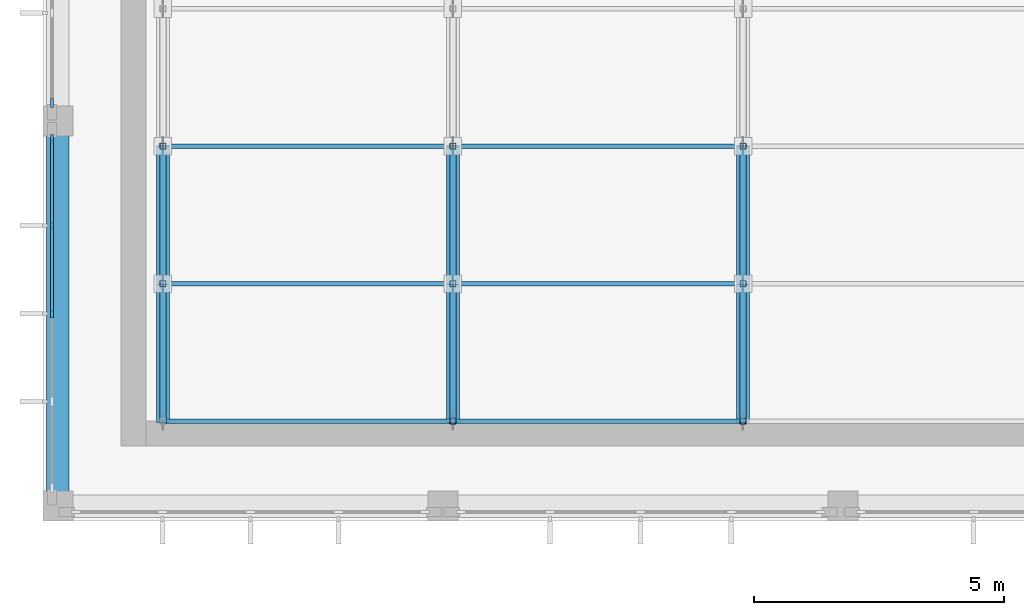
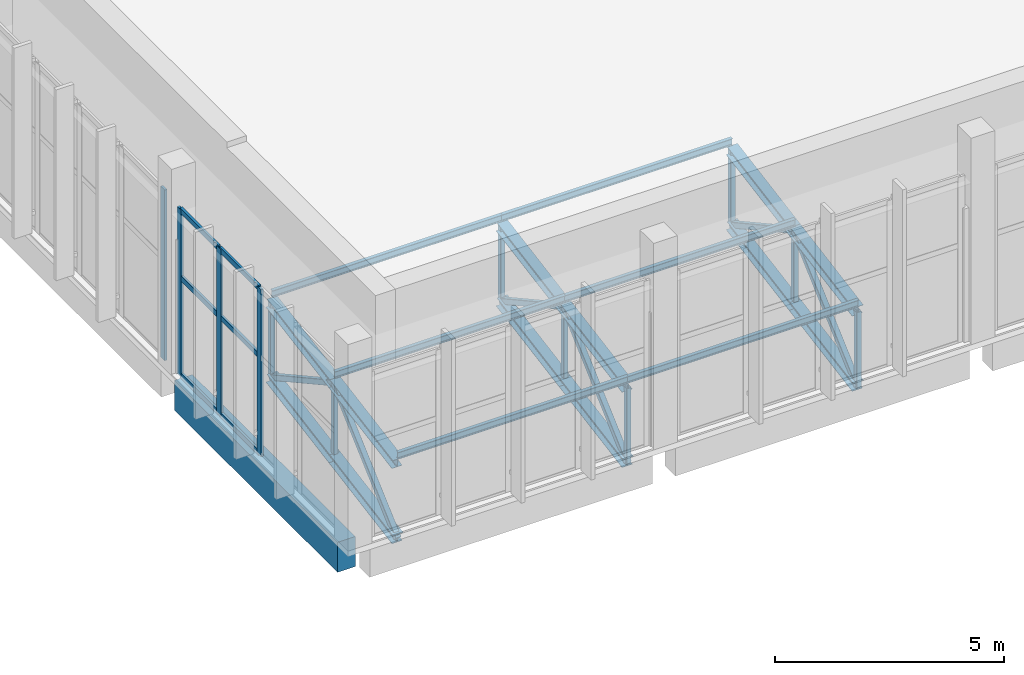
# One storey, part 5 of 132: 42 members, 1 beam, 2 elements without a shape of their own.
"""IFC4 building model written with IfcOpenShell, lengths in metres."""

from ifc_helpers import new_model, si_unit, direction, frame, origin, origin_2d, place, context, subcontext, project, spatial, rectangle, hollow_rectangle, i_section, extrude, material, layer, layer_set, material_profile, profile_set, type_object, element, aggregate, save


model = new_model("IFC4")

# Units and contexts
model_context = context("Model", 3, precision=1e-05, world=origin(), true_north=direction((0.0, 1.0)))
body_context = subcontext(model_context, "Body", "Model", "MODEL_VIEW")
ifc_project = project(units=[si_unit("LENGTHUNIT", "METRE"), si_unit("AREAUNIT", "SQUARE_METRE"), si_unit("VOLUMEUNIT", "CUBIC_METRE"), si_unit("PLANEANGLEUNIT", "RADIAN"), si_unit("MASSUNIT", "GRAM", prefix="KILO")], contexts=[model_context])

# Site, building, storey
site_placement = place(None, origin())
site = spatial("IfcSite", under=ifc_project, at=site_placement, CompositionType="ELEMENT")
building_placement = place(site_placement, origin())
building = spatial("IfcBuilding", under=site, at=building_placement, Name="Lunette Opera House", CompositionType="ELEMENT")
storey_placement = place(building_placement, frame((0.0, 0.0, 17.0)))
storey = spatial("IfcBuildingStorey", under=building, at=storey_placement, Name="L03", CompositionType="ELEMENT", Elevation=17.0)

# Members
ifc_material_1 = material(Name="Steel S355", Category="steel")
ifc_material_profile_1 = material_profile(ifc_material_1, i_section(OverallWidth=0.260009765625, OverallDepth=0.25, WebThickness=0.007568359375, FlangeThickness=0.012451171875, FilletRadius=0.02392578125, at=origin_2d()), Name="HEA 260")
ifc_profile_set_1 = profile_set([ifc_material_profile_1], Name="Steel S355")
member_type_1 = type_object("IfcMemberType", Name="CHORD HEA 260", PredefinedType="CHORD", material=ifc_profile_set_1)
for number, where, z_axis, x_axis, name in (
    (1, (10.39990234375, 66.0, 0.294921875), (0.0, 0.984794998673, 0.173720495593), (-1.0, 0.0, 0.0), "mem-RW-L03-RW-TR01-TC1"),
    (2, (10.39990234375, 66.0, -1.705078125), (0.0, 0.984794998673, 0.173720495593), (-1.0, 0.0, 0.0), "mem-RW-L03-RW-TR01-BC1"),
    (3, (10.39990234375, 68.75, 0.780029296875), (0.0, 0.984809952442, 0.173635703618), (-1.0, 0.0, 0.0), "mem-RW-L03-RW-TR01-TC2"),
    (4, (10.39990234375, 68.75, -1.219970703125), (0.0, 0.984809952442, 0.173635703618), (-1.0, 0.0, 0.0), "mem-RW-L03-RW-TR01-BC2"),
    (5, (16.199951171875, 66.0, 0.294921875), (0.0, 0.984794998673, 0.173720495593), (-1.0, 0.0, 0.0), "mem-RW-L03-RW-TR02-TC1"),
    (6, (16.199951171875, 66.0, -1.705078125), (0.0, 0.984794998673, 0.173720495593), (-1.0, 0.0, 0.0), "mem-RW-L03-RW-TR02-BC1"),
    (7, (16.199951171875, 68.75, 0.780029296875), (0.0, 0.984809952442, 0.173635703618), (-1.0, 0.0, 0.0), "mem-RW-L03-RW-TR02-TC2"),
    (8, (16.199951171875, 68.75, -1.219970703125), (0.0, 0.984809952442, 0.173635703618), (-1.0, 0.0, 0.0), "mem-RW-L03-RW-TR02-BC2"),
    (9, (22.0, 66.0, 0.294921875), (0.0, 0.984794998673, 0.173720495593), (-1.0, 0.0, 0.0), "mem-RW-L03-RW-TR03-TC1"),
    (10, (22.0, 66.0, -1.705078125), (0.0, 0.984794998673, 0.173720495593), (-1.0, 0.0, 0.0), "mem-RW-L03-RW-TR03-BC1"),
    (11, (22.0, 68.75, 0.780029296875), (0.0, 0.984809952442, 0.173635703618), (-1.0, 0.0, 0.0), "mem-RW-L03-RW-TR03-TC2"),
    (12, (22.0, 68.75, -1.219970703125), (0.0, 0.984809952442, 0.173635703618), (-1.0, 0.0, 0.0), "mem-RW-L03-RW-TR03-BC2"),
):
    element("IfcMember", number, at=place(storey_placement, frame(where, z_axis=z_axis, x_axis=x_axis)), inside=storey, type_object=member_type_1, Name=name, PredefinedType="CHORD", context=body_context, shape_type="SweptSolid", body=[
        extrude(i_section(OverallWidth=0.260009765625, OverallDepth=0.25, WebThickness=0.007568359375, FlangeThickness=0.012451171875, FilletRadius=0.02392578125, at=origin_2d()), origin(), (0.0, 0.0, 1.0), 2.79248046875),
    ])
ifc_material_2 = material(Name="Steel S355", Category="steel")
ifc_material_profile_2 = material_profile(ifc_material_2, hollow_rectangle(XDim=0.139892578125, YDim=0.139892578125, WallThickness=0.006103515625, InnerFilletRadius=0.006103515625, OuterFilletRadius=0.011962890625, at=origin_2d()), Name="RHS 140X140X6")
ifc_profile_set_2 = profile_set([ifc_material_profile_2], Name="Steel S355")
member_type_2 = type_object("IfcMemberType", Name="DIAGONAL RHS 140X140X6", PredefinedType="BRACE", material=ifc_profile_set_2)
member_1_placement = place(storey_placement, frame((10.39990234375, 66.0, -1.705078125), z_axis=(0.0, 0.741936685601, 0.670469950527), x_axis=(-1.0, 0.0, 0.0)))
element("IfcMember", 13, at=member_1_placement, inside=storey, type_object=member_type_2, Name="mem-RW-L03-RW-TR01-TD1", PredefinedType="BRACE", context=body_context, shape_type="SweptSolid", body=[
    extrude(hollow_rectangle(XDim=0.139892578125, YDim=0.139892578125, WallThickness=0.006103515625, InnerFilletRadius=0.006103515625, OuterFilletRadius=0.011962890625, at=origin_2d()), origin(), (0.0, 0.0, 1.0), 3.70654296875),
])
member_2_placement = place(storey_placement, frame((10.39990234375, 68.75, 0.780029296875), z_axis=(0.0, 0.87586106121, -0.482563365223), x_axis=(-1.0, 0.0, 0.0)))
element("IfcMember", 14, at=member_2_placement, inside=storey, type_object=member_type_2, Name="mem-RW-L03-RW-TR01-TD2", PredefinedType="BRACE", context=body_context, shape_type="SweptSolid", body=[
    extrude(hollow_rectangle(XDim=0.139892578125, YDim=0.139892578125, WallThickness=0.006103515625, InnerFilletRadius=0.006103515625, OuterFilletRadius=0.011962890625, at=origin_2d()), origin(), (0.0, 0.0, 1.0), 3.1396484375),
])
member_3_placement = place(storey_placement, frame((16.199951171875, 66.0, -1.705078125), z_axis=(0.0, 0.741936685601, 0.670469950527), x_axis=(-1.0, 0.0, 0.0)))
element("IfcMember", 15, at=member_3_placement, inside=storey, type_object=member_type_2, Name="mem-RW-L03-RW-TR02-TD1", PredefinedType="BRACE", context=body_context, shape_type="SweptSolid", body=[
    extrude(hollow_rectangle(XDim=0.139892578125, YDim=0.139892578125, WallThickness=0.006103515625, InnerFilletRadius=0.006103515625, OuterFilletRadius=0.011962890625, at=origin_2d()), origin(), (0.0, 0.0, 1.0), 3.70654296875),
])
member_4_placement = place(storey_placement, frame((16.199951171875, 68.75, 0.780029296875), z_axis=(0.0, 0.87586106121, -0.482563365223), x_axis=(-1.0, 0.0, 0.0)))
element("IfcMember", 16, at=member_4_placement, inside=storey, type_object=member_type_2, Name="mem-RW-L03-RW-TR02-TD2", PredefinedType="BRACE", context=body_context, shape_type="SweptSolid", body=[
    extrude(hollow_rectangle(XDim=0.139892578125, YDim=0.139892578125, WallThickness=0.006103515625, InnerFilletRadius=0.006103515625, OuterFilletRadius=0.011962890625, at=origin_2d()), origin(), (0.0, 0.0, 1.0), 3.1396484375),
])
member_5_placement = place(storey_placement, frame((22.0, 66.0, -1.705078125), z_axis=(0.0, 0.741936685601, 0.670469950527), x_axis=(-1.0, 0.0, 0.0)))
element("IfcMember", 17, at=member_5_placement, inside=storey, type_object=member_type_2, Name="mem-RW-L03-RW-TR03-TD1", PredefinedType="BRACE", context=body_context, shape_type="SweptSolid", body=[
    extrude(hollow_rectangle(XDim=0.139892578125, YDim=0.139892578125, WallThickness=0.006103515625, InnerFilletRadius=0.006103515625, OuterFilletRadius=0.011962890625, at=origin_2d()), origin(), (0.0, 0.0, 1.0), 3.70654296875),
])
member_6_placement = place(storey_placement, frame((22.0, 68.75, 0.780029296875), z_axis=(0.0, 0.87586106121, -0.482563365223), x_axis=(-1.0, 0.0, 0.0)))
element("IfcMember", 18, at=member_6_placement, inside=storey, type_object=member_type_2, Name="mem-RW-L03-RW-TR03-TD2", PredefinedType="BRACE", context=body_context, shape_type="SweptSolid", body=[
    extrude(hollow_rectangle(XDim=0.139892578125, YDim=0.139892578125, WallThickness=0.006103515625, InnerFilletRadius=0.006103515625, OuterFilletRadius=0.011962890625, at=origin_2d()), origin(), (0.0, 0.0, 1.0), 3.1396484375),
])

# Curtain wall, member
ifc_material_3 = material(Name="Aluminium", Category="aluminium")
ifc_layer = layer(ifc_material_3, 0.179931640625)
ifc_layer_set = layer_set([ifc_layer], Name="Aluminium")
curtain_wall_type = type_object("IfcCurtainWallType", Name="SUN FACE CURTAIN WALL", PredefinedType="NOTDEFINED", material=ifc_layer_set)
curtain_wall_1_placement = place(storey_placement, origin())
curtain_wall_1 = element("IfcCurtainWall", 19, at=curtain_wall_1_placement, inside=storey, type_object=curtain_wall_type, Name="Sun Face Curtain Wall F17 L03", PredefinedType="NOTDEFINED")
ifc_material_4 = material(Name="Aluminium", Category="aluminium")
ifc_material_profile_3 = material_profile(ifc_material_4, rectangle(XDim=0.06005859375, YDim=0.179931640625, at=origin_2d()), Name="MULLION 60 X 180")
ifc_profile_set_3 = profile_set([ifc_material_profile_3], Name="Aluminium")
member_type_3 = type_object("IfcMemberType", Name="MULLION 60 X 180", PredefinedType="MULLION", material=ifc_profile_set_3)
member_7_placement = place(storey_placement, frame((8.181884765625, 72.360107421875, 0.0), z_axis=(0.0, 0.0, 1.0), x_axis=(1.0, 0.0, 0.0)))
member_7 = element("IfcMember", 20, at=member_7_placement, type_object=member_type_3, Name="RW-X2047 mullion 5", PredefinedType="MULLION", context=body_context, shape_type="SweptSolid", body=[
    extrude(rectangle(XDim=0.06005859375, YDim=0.179931640625, at=origin_2d()), origin(), (0.0, 0.0, 1.0), 4.550048828125),
])
aggregate(curtain_wall_1, [member_7])

# Curtain wall, members
curtain_wall_2_placement = place(storey_placement, origin())
curtain_wall_2 = element("IfcCurtainWall", 21, at=curtain_wall_2_placement, inside=storey, type_object=curtain_wall_type, Name="Sun Face Curtain Wall F18 L03", PredefinedType="NOTDEFINED")
member_8_placement = place(storey_placement, frame((8.181884765625, 71.639892578125, 0.0), z_axis=(0.0, 0.0, 1.0), x_axis=(1.0, 0.0, 0.0)))
member_8 = element("IfcMember", 22, at=member_8_placement, type_object=member_type_3, Name="RW-X2048 mullion 1", PredefinedType="MULLION", context=body_context, shape_type="SweptSolid", body=[
    extrude(rectangle(XDim=0.06005859375, YDim=0.179931640625, at=origin_2d()), origin(), (0.0, 0.0, 1.0), 4.449951171875),
])
member_9_placement = place(storey_placement, frame((8.181884765625, 69.909912109375, 0.0), z_axis=(0.0, 0.0, 1.0), x_axis=(1.0, 0.0, 0.0)))
member_9 = element("IfcMember", 23, at=member_9_placement, type_object=member_type_3, Name="RW-X2048 mullion 2", PredefinedType="MULLION", context=body_context, shape_type="SweptSolid", body=[
    extrude(rectangle(XDim=0.06005859375, YDim=0.179931640625, at=origin_2d()), origin(), (0.0, 0.0, 1.0), 4.449951171875),
])
member_10_placement = place(storey_placement, frame((8.181884765625, 68.14990234375, 0.0), z_axis=(0.0, 0.0, 1.0), x_axis=(1.0, 0.0, 0.0)))
member_10 = element("IfcMember", 24, at=member_10_placement, type_object=member_type_3, Name="RW-X2048 mullion 3", PredefinedType="MULLION", context=body_context, shape_type="SweptSolid", body=[
    extrude(rectangle(XDim=0.06005859375, YDim=0.179931640625, at=origin_2d()), origin(), (0.0, 0.0, 1.0), 4.449951171875),
])

# Members
ifc_material_5 = material(Name="Steel S355", Category="steel")
ifc_material_profile_4 = material_profile(ifc_material_5, i_section(OverallWidth=0.091064453125, OverallDepth=0.179931640625, WebThickness=0.00537109375, FlangeThickness=0.008056640625, FilletRadius=0.009033203125, at=origin_2d()), Name="IPE 180")
ifc_profile_set_4 = profile_set([ifc_material_profile_4], Name="Steel S355")
member_type_4 = type_object("IfcMemberType", Name="PURLIN IPE 180", PredefinedType="PURLIN", material=ifc_profile_set_4)
for number, where, z_axis, x_axis, name in (
    (25, (10.39990234375, 66.0, 0.510009765625), (1.0, 0.0, 0.0), (0.0, 1.0, 0.0), "mem-RW-L03-RW-PU1-1"),
    (26, (16.199951171875, 66.0, 0.510009765625), (1.0, 0.0, 0.0), (0.0, 1.0, 0.0), "mem-RW-L03-RW-PU1-2"),
    (27, (10.39990234375, 68.75, 0.9951171875), (1.0, 0.0, 0.0), (0.0, 1.0, 0.0), "mem-RW-L03-RW-PU2-1"),
    (28, (16.199951171875, 68.75, 0.9951171875), (1.0, 0.0, 0.0), (0.0, 1.0, 0.0), "mem-RW-L03-RW-PU2-2"),
    (29, (10.39990234375, 71.5, 1.47998046875), (1.0, 0.0, 0.0), (0.0, 1.0, 0.0), "mem-RW-L03-RW-PU3-1"),
    (30, (16.199951171875, 71.5, 1.47998046875), (1.0, 0.0, 0.0), (0.0, 1.0, 0.0), "mem-RW-L03-RW-PU3-2"),
):
    element("IfcMember", number, at=place(storey_placement, frame(where, z_axis=z_axis, x_axis=x_axis)), inside=storey, type_object=member_type_4, Name=name, PredefinedType="PURLIN", context=body_context, shape_type="SweptSolid", body=[
        extrude(i_section(OverallWidth=0.091064453125, OverallDepth=0.179931640625, WebThickness=0.00537109375, FlangeThickness=0.008056640625, FilletRadius=0.009033203125, at=origin_2d()), origin(), (0.0, 0.0, 1.0), 5.800048828125),
    ])

# Beam
ifc_material_6 = material(Name="Concrete C35/45", Category="concrete")
ifc_material_profile_5 = material_profile(ifc_material_6, rectangle(XDim=0.449951171875, YDim=0.800048828125, at=origin_2d()), Name="RC BEAM 450X800")
ifc_profile_set_5 = profile_set([ifc_material_profile_5], Name="Concrete C35/45")
beam_type = type_object("IfcBeamType", Name="RC BEAM 450X800", PredefinedType="BEAM", material=ifc_profile_set_5)
beam_placement = place(storey_placement, frame((8.300048828125, 64.590087890625, -0.550048828125), z_axis=(0.0, 1.0, 0.0), x_axis=(-1.0, 0.0, 0.0)))
element("IfcBeam", 31, at=beam_placement, inside=storey, type_object=beam_type, Name="beam-RW-L03-L03-GY00", PredefinedType="BEAM", context=body_context, shape_type="SweptSolid", body=[
    extrude(rectangle(XDim=0.449951171875, YDim=0.800048828125, at=origin_2d()), origin(), (0.0, 0.0, 1.0), 7.119873046875),
])

# Member
ifc_material_7 = material(Name="Aluminium", Category="aluminium")
ifc_material_profile_6 = material_profile(ifc_material_7, rectangle(XDim=0.06005859375, YDim=0.139892578125, at=origin_2d()), Name="TRANSOM 60 X 140")
ifc_profile_set_6 = profile_set([ifc_material_profile_6], Name="Aluminium")
member_type_5 = type_object("IfcMemberType", Name="TRANSOM 60 X 140", PredefinedType="USERDEFINED", material=ifc_profile_set_6)
member_11_placement = place(storey_placement, frame((8.181884765625, 71.610107421875, 0.030029296875), z_axis=(0.0, -1.0, 0.0), x_axis=(1.0, 0.0, 0.0)))
member_11 = element("IfcMember", 32, at=member_11_placement, type_object=member_type_5, Name="RW-X2048 transom 1.1", ObjectType="TRANSOM", PredefinedType="USERDEFINED", context=body_context, shape_type="SweptSolid", body=[
    extrude(rectangle(XDim=0.06005859375, YDim=0.139892578125, at=origin_2d()), origin(), (0.0, 0.0, 1.0), 1.670166015625),
])

member_12_placement = place(storey_placement, frame((8.181884765625, 71.610107421875, 2.625), z_axis=(0.0, -1.0, 0.0), x_axis=(1.0, 0.0, 0.0)))
member_12 = element("IfcMember", 33, at=member_12_placement, type_object=member_type_5, Name="RW-X2048 transom 1.2", ObjectType="TRANSOM", PredefinedType="USERDEFINED", context=body_context, shape_type="SweptSolid", body=[
    extrude(rectangle(XDim=0.06005859375, YDim=0.139892578125, at=origin_2d()), origin(), (0.0, 0.0, 1.0), 1.670166015625),
])

member_13_placement = place(storey_placement, frame((8.181884765625, 71.610107421875, 4.419921875), z_axis=(0.0, -1.0, 0.0), x_axis=(1.0, 0.0, 0.0)))
member_13 = element("IfcMember", 34, at=member_13_placement, type_object=member_type_5, Name="RW-X2048 transom 1.3", ObjectType="TRANSOM", PredefinedType="USERDEFINED", context=body_context, shape_type="SweptSolid", body=[
    extrude(rectangle(XDim=0.06005859375, YDim=0.139892578125, at=origin_2d()), origin(), (0.0, 0.0, 1.0), 1.670166015625),
])

member_14_placement = place(storey_placement, frame((8.181884765625, 69.8798828125, 0.030029296875), z_axis=(0.0, -1.0, 0.0), x_axis=(1.0, 0.0, 0.0)))
member_14 = element("IfcMember", 35, at=member_14_placement, type_object=member_type_5, Name="RW-X2048 transom 2.1", ObjectType="TRANSOM", PredefinedType="USERDEFINED", context=body_context, shape_type="SweptSolid", body=[
    extrude(rectangle(XDim=0.06005859375, YDim=0.139892578125, at=origin_2d()), origin(), (0.0, 0.0, 1.0), 1.699951171875),
])

member_15_placement = place(storey_placement, frame((8.181884765625, 69.8798828125, 2.625), z_axis=(0.0, -1.0, 0.0), x_axis=(1.0, 0.0, 0.0)))
member_15 = element("IfcMember", 36, at=member_15_placement, type_object=member_type_5, Name="RW-X2048 transom 2.2", ObjectType="TRANSOM", PredefinedType="USERDEFINED", context=body_context, shape_type="SweptSolid", body=[
    extrude(rectangle(XDim=0.06005859375, YDim=0.139892578125, at=origin_2d()), origin(), (0.0, 0.0, 1.0), 1.699951171875),
])

member_16_placement = place(storey_placement, frame((8.181884765625, 69.8798828125, 4.419921875), z_axis=(0.0, -1.0, 0.0), x_axis=(1.0, 0.0, 0.0)))
member_16 = element("IfcMember", 37, at=member_16_placement, type_object=member_type_5, Name="RW-X2048 transom 2.3", ObjectType="TRANSOM", PredefinedType="USERDEFINED", context=body_context, shape_type="SweptSolid", body=[
    extrude(rectangle(XDim=0.06005859375, YDim=0.139892578125, at=origin_2d()), origin(), (0.0, 0.0, 1.0), 1.699951171875),
])

aggregate(curtain_wall_2, [member_8, member_9, member_10, member_11, member_12, member_13, member_14, member_15, member_16])

# Members
ifc_material_8 = material(Name="Steel S355", Category="steel")
ifc_material_profile_7 = material_profile(ifc_material_8, hollow_rectangle(XDim=0.1201171875, YDim=0.1201171875, WallThickness=0.0048828125, InnerFilletRadius=0.0048828125, OuterFilletRadius=0.010009765625, at=origin_2d()), Name="RHS 120X120X5")
ifc_profile_set_7 = profile_set([ifc_material_profile_7], Name="Steel S355")
member_type_6 = type_object("IfcMemberType", Name="VERTICAL RHS 120X120X5", PredefinedType="POST", material=ifc_profile_set_7)
for number, where, z_axis, x_axis, name in (
    (38, (10.39990234375, 68.75, -1.219970703125), (0.0, 0.0, 1.0), (1.0, 0.0, 0.0), "mem-RW-L03-RW-TR01-TV2"),
    (39, (10.39990234375, 71.5, -0.735107421875), (0.0, 0.0, 1.0), (1.0, 0.0, 0.0), "mem-RW-L03-RW-TR01-TV3"),
    (40, (16.199951171875, 66.0, -1.705078125), (0.0, 0.0, 1.0), (1.0, 0.0, 0.0), "mem-RW-L03-RW-TR02-TV1"),
    (41, (16.199951171875, 68.75, -1.219970703125), (0.0, 0.0, 1.0), (1.0, 0.0, 0.0), "mem-RW-L03-RW-TR02-TV2"),
    (42, (16.199951171875, 71.5, -0.735107421875), (0.0, 0.0, 1.0), (1.0, 0.0, 0.0), "mem-RW-L03-RW-TR02-TV3"),
    (43, (22.0, 66.0, -1.705078125), (0.0, 0.0, 1.0), (1.0, 0.0, 0.0), "mem-RW-L03-RW-TR03-TV1"),
    (44, (22.0, 68.75, -1.219970703125), (0.0, 0.0, 1.0), (1.0, 0.0, 0.0), "mem-RW-L03-RW-TR03-TV2"),
    (45, (22.0, 71.5, -0.735107421875), (0.0, 0.0, 1.0), (1.0, 0.0, 0.0), "mem-RW-L03-RW-TR03-TV3"),
):
    element("IfcMember", number, at=place(storey_placement, frame(where, z_axis=z_axis, x_axis=x_axis)), inside=storey, type_object=member_type_6, Name=name, PredefinedType="POST", context=body_context, shape_type="SweptSolid", body=[
        extrude(hollow_rectangle(XDim=0.1201171875, YDim=0.1201171875, WallThickness=0.0048828125, InnerFilletRadius=0.0048828125, OuterFilletRadius=0.010009765625, at=origin_2d()), origin(), (0.0, 0.0, 1.0), 2.0),
    ])

save(model, "model.ifc")
